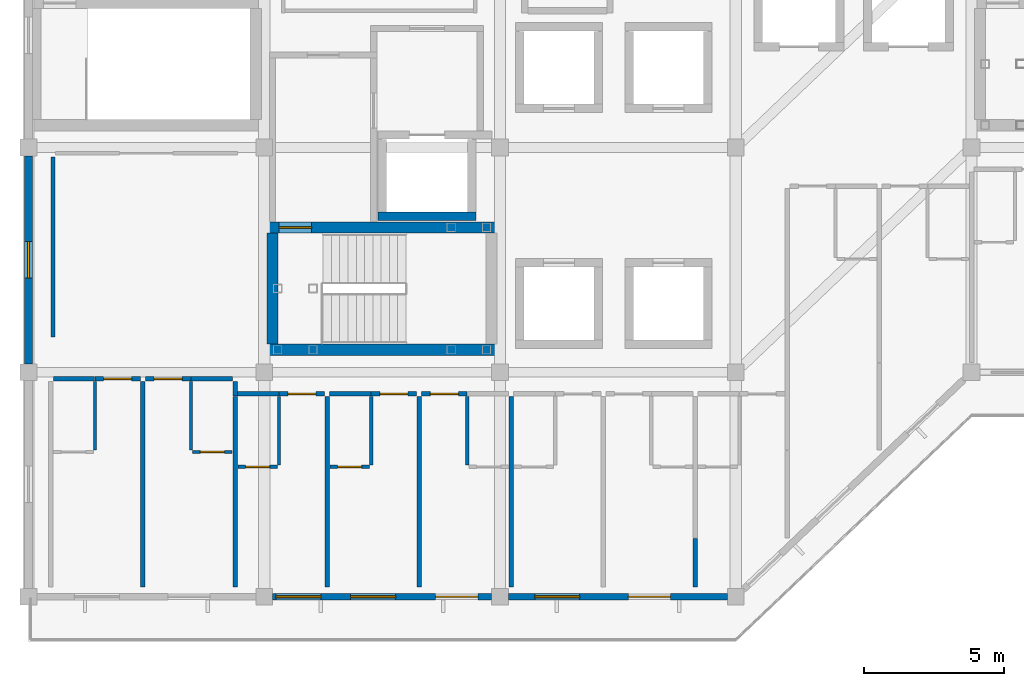
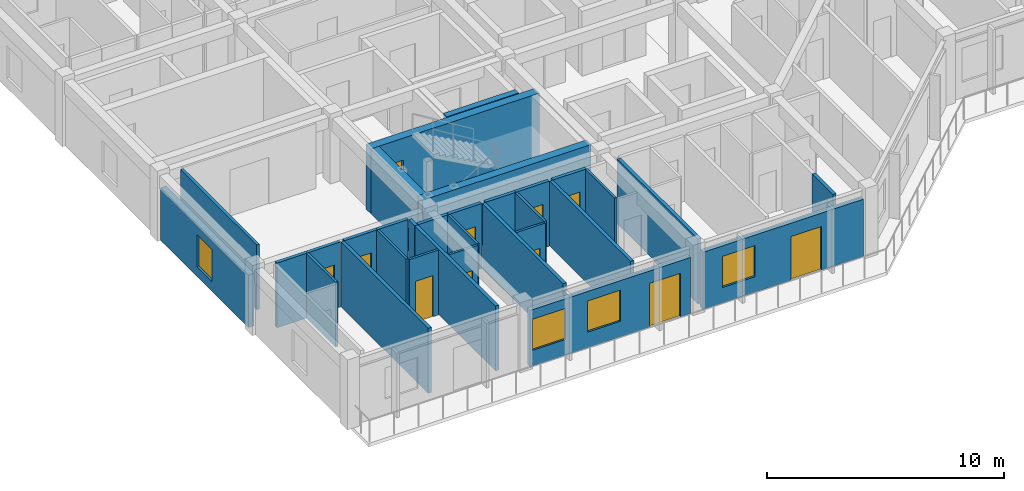
# One storey, part 4 of 14: 32 walls, 11 doors, 4 windows, 15 openings.
"""IFC4 building model written with IfcOpenShell, lengths in metres."""

import ifcopenshell
import ifcopenshell.guid

model = None  # the IFC model being written
_history = None  # IfcOwnerHistory: only IFC2X3 demands one
_inside = {}  # id of a spatial element -> (the spatial element, [elements in it])
_under = {}  # id of a project, library or spatial element -> (it, [spatial elements below it])
_declared = {}  # id of a project -> (the project, [libraries it declares])
_typed = {}  # id of a type object -> (the type object, [elements of that type])
_made_of = {}  # id of a material, layer set ... -> (it, [elements and type objects made of it])


def new_model(schema):
    """Start an empty IFC model of exactly this schema.

    Asked for "IFC4X3", IfcOpenShell would pick the latest addendum, in which some entities
    have other attributes; the version numbers below select the first issue.
    IFC2X3 requires an IfcOwnerHistory on every rooted entity: one is made here for all.
    """
    global model, _history
    if schema == "IFC4X3":
        model = ifcopenshell.file(schema_version=(4, 3, 0, 0))
    else:
        model = ifcopenshell.file(schema=schema)
    _inside.clear()
    _under.clear()
    _declared.clear()
    _typed.clear()
    _made_of.clear()
    _history = None
    if model.schema == "IFC2X3":
        org = make("IfcOrganization", Name="unknown")
        user = make(
            "IfcPersonAndOrganization",
            ThePerson=make("IfcPerson", FamilyName="unknown"),
            TheOrganization=org,
        )
        app = make(
            "IfcApplication",
            ApplicationDeveloper=org,
            Version="unknown",
            ApplicationFullName="unknown",
            ApplicationIdentifier="unknown",
        )
        _history = make(
            "IfcOwnerHistory",
            OwningUser=user,
            OwningApplication=app,
            ChangeAction="ADDED",
            CreationDate=0,
        )
    return model


def make(cls, **values):
    """One entity of the class cls with the attributes given. An attribute that is None is left unset."""
    return model.create_entity(
        cls, **{name: value for name, value in values.items() if value is not None}
    )


def rooted(cls, **values):
    """An entity with a GlobalId (a new one), such as an element, a storey or a relation."""
    return make(cls, GlobalId=ifcopenshell.guid.new(), OwnerHistory=_history, **values)


def si_unit(unit_type, name, prefix=None):
    """IfcSIUnit, for example si_unit("LENGTHUNIT", "METRE", prefix="MILLI")."""
    return make("IfcSIUnit", UnitType=unit_type, Prefix=prefix, Name=name)


def assignment(units):
    """IfcUnitAssignment: the units of a project."""
    return None if units is None else make("IfcUnitAssignment", Units=units)


def point(xyz):
    """IfcCartesianPoint."""
    return None if xyz is None else make("IfcCartesianPoint", Coordinates=xyz)


def direction(xyz):
    """IfcDirection."""
    return None if xyz is None else make("IfcDirection", DirectionRatios=xyz)


def frame(location, z_axis=None, x_axis=None):
    """IfcAxis2Placement3D, a coordinate frame: its origin and axes. An axis left out is left unset."""
    return make(
        "IfcAxis2Placement3D",
        Location=point(location),
        Axis=direction(z_axis),
        RefDirection=direction(x_axis),
    )


def frame_2d(location, x_axis=None):
    """IfcAxis2Placement2D, a coordinate frame in the plane: its origin and x axis."""
    return make(
        "IfcAxis2Placement2D", Location=point(location), RefDirection=direction(x_axis)
    )


def origin():
    """The frame at (0, 0, 0) with its axes left unset."""
    return frame((0.0, 0.0, 0.0))


def place(relative_to, where):
    """IfcLocalPlacement: puts the frame where relative to a parent placement (None: the world)."""
    return make(
        "IfcLocalPlacement", PlacementRelTo=relative_to, RelativePlacement=where
    )


def context(
    kind, dimensions, precision=None, world=None, true_north=None, identifier=None
):
    """IfcGeometricRepresentationContext, for example the 3D "Model" context."""
    return make(
        "IfcGeometricRepresentationContext",
        ContextIdentifier=identifier,
        ContextType=kind,
        CoordinateSpaceDimension=dimensions,
        Precision=precision,
        WorldCoordinateSystem=world,
        TrueNorth=true_north,
    )


def subcontext(parent, identifier, kind, view, scale=None):
    """IfcGeometricRepresentationSubContext, for example "Body" below "Model"."""
    return make(
        "IfcGeometricRepresentationSubContext",
        ContextIdentifier=identifier,
        ContextType=kind,
        ParentContext=parent,
        TargetScale=scale,
        TargetView=view,
    )


def project(units=None, contexts=None):
    """IfcProject with its units and contexts."""
    return rooted(
        "IfcProject",
        Name="project",
        RepresentationContexts=contexts,
        UnitsInContext=assignment(units),
    )


def spatial(cls, under=None, at=None, **own):
    """A site, building, storey or space (cls), placed at a placement, below another one or the project."""
    s = rooted(cls, ObjectPlacement=at, **own)
    if under is not None:
        _under.setdefault(under.id(), (under, []))[1].append(s)
    return s


def profile(cls, at=None, kind="AREA", **sizes):
    """A parametric profile (cls). Its sizes go by their IFC names, for example OverallWidth=200.0."""
    return make(cls, ProfileType=kind, Position=at, **sizes)


def rectangle(**sizes):
    """IfcRectangleProfileDef."""
    return profile("IfcRectangleProfileDef", **sizes)


def extrude(swept, where, along, depth):
    """IfcExtrudedAreaSolid: the profile swept, set in the frame where, extruded along a direction by depth."""
    return make(
        "IfcExtrudedAreaSolid",
        SweptArea=swept,
        Position=where,
        ExtrudedDirection=direction(along),
        Depth=depth,
    )


def shape(context_of_items, identifier, shape_type, items):
    """IfcShapeRepresentation: the items that make up one representation, for example the "Body"."""
    return make(
        "IfcShapeRepresentation",
        ContextOfItems=context_of_items,
        RepresentationIdentifier=identifier,
        RepresentationType=shape_type,
        Items=items,
    )


def material(Name=None, Category=None):
    """IfcMaterial."""
    return make("IfcMaterial", Name=Name, Category=Category)


def layer(
    of_material, thickness, ventilated=None, Name=None, Category=None, Priority=None
):
    """IfcMaterialLayer: one layer of a wall or slab, of a material (None: an air gap)."""
    return make(
        "IfcMaterialLayer",
        Material=of_material,
        LayerThickness=thickness,
        IsVentilated=ventilated,
        Name=Name,
        Category=Category,
        Priority=Priority,
    )


def layer_set(layers, Name=None):
    """IfcMaterialLayerSet."""
    return make("IfcMaterialLayerSet", MaterialLayers=layers, LayerSetName=Name)


def made_of(thing, what):
    """Note that an element or type object is made of a material, layer set ...; save() writes the relation."""
    if what is not None:
        _made_of.setdefault(what.id(), (what, []))[1].append(thing)
    return thing


def type_object(cls, material=None, **own):
    """A type object (cls), such as IfcWallType, which elements share."""
    return made_of(rooted(cls, **own), material)


def element(
    cls,
    number,
    at=None,
    inside=None,
    cuts=None,
    type_object=None,
    material=None,
    context=None,
    identifier="Body",
    shape_type=None,
    held_by="IfcProductDefinitionShape",
    body=None,
    shapes=None,
    **own,
):
    """One element of the class cls, such as IfcWall. Its Tag is "e" and its number.

    at: its placement. inside: the storey or other place that contains it. cuts: it is an
    opening in that element (IfcRelVoidsElement). A single representation is given by context,
    identifier, shape_type and body (its items); several are given by shapes. held_by: the class
    of the entity that holds the representations. save() writes the other relations.
    """
    e = rooted(cls, Tag="e%d" % number, ObjectPlacement=at, **own)
    if body is not None:
        shapes = [shape(context, identifier, shape_type, body)]
    if shapes is not None:
        e.Representation = make(held_by, Representations=shapes)
    if inside is not None:
        _inside.setdefault(inside.id(), (inside, []))[1].append(e)
    if cuts is not None:
        rooted(
            "IfcRelVoidsElement", RelatingBuildingElement=cuts, RelatedOpeningElement=e
        )
    if type_object is not None:
        _typed.setdefault(type_object.id(), (type_object, []))[1].append(e)
    return made_of(e, material)


def fill(opening, filler):
    """IfcRelFillsElement: the door or window that sits in an opening."""
    return rooted(
        "IfcRelFillsElement",
        RelatingOpeningElement=opening,
        RelatedBuildingElement=filler,
    )


def aggregate(whole, parts):
    """IfcRelAggregates: a whole, such as a stair, and the parts it consists of."""
    return rooted("IfcRelAggregates", RelatingObject=whole, RelatedObjects=parts)


def save(model, path):
    """Write the relations noted so far, then the file.

    IfcRelAggregates (storeys below a building ...), IfcRelContainedInSpatialStructure (elements
    in a storey), IfcRelDefinesByType, IfcRelAssociatesMaterial and IfcRelDeclares: one each for
    every whole, place, type object, material and project.
    """
    for whole, parts in _under.values():
        aggregate(whole, parts)
    for where, things in _inside.values():
        rooted(
            "IfcRelContainedInSpatialStructure",
            RelatedElements=things,
            RelatingStructure=where,
        )
    for kind, things in _typed.values():
        rooted("IfcRelDefinesByType", RelatedObjects=things, RelatingType=kind)
    for what, things in _made_of.values():
        rooted("IfcRelAssociatesMaterial", RelatedObjects=things, RelatingMaterial=what)
    for by, libraries in _declared.values():
        rooted("IfcRelDeclares", RelatingContext=by, RelatedDefinitions=libraries)
    model.write(path)


model = new_model("IFC4")

# Units and contexts
model_context = context("Model", 3, precision=1e-05, world=origin(), true_north=direction((0.0, 1.0)))
body_context = subcontext(model_context, "Body", "Model", "MODEL_VIEW")
ifc_project = project(units=[si_unit("LENGTHUNIT", "METRE"), si_unit("AREAUNIT", "SQUARE_METRE"), si_unit("VOLUMEUNIT", "CUBIC_METRE"), si_unit("PLANEANGLEUNIT", "RADIAN"), si_unit("MASSUNIT", "GRAM", prefix="KILO")], contexts=[model_context])

# Site, building, storey
site_placement = place(None, origin())
site = spatial("IfcSite", under=ifc_project, at=site_placement, CompositionType="ELEMENT")
building_placement = place(site_placement, origin())
building = spatial("IfcBuilding", under=site, at=building_placement, Name="Naruveol Harbour Congress Hotel", CompositionType="ELEMENT")
storey_placement = place(building_placement, frame((0.0, 0.0, 39.60009765625)))
storey = spatial("IfcBuildingStorey", under=building, at=storey_placement, Name="L09", CompositionType="ELEMENT", Elevation=39.60009765625)

# Wall
ifc_material_1 = material(Name="Acoustic Double Stud Gypsum", Category="gypsum")
ifc_layer_1 = layer(ifc_material_1, 0.139892578125)
ifc_layer_set_1 = layer_set([ifc_layer_1], Name="Acoustic Double Stud Gypsum")
wall_type_1 = type_object("IfcWallType", Name="ACOUSTIC MEETING PARTITION WALL 140", PredefinedType="PARTITIONING", material=ifc_layer_set_1)
wall_1_placement = place(storey_placement, frame((118.47998046875, 9.25, 0.0), z_axis=(0.0, 0.0, 1.0), x_axis=(0.0, 1.0, 0.0)))
element("IfcWall", 1, at=wall_1_placement, inside=storey, type_object=wall_type_1, Name="Sky Club Salon west partition PW-140", PredefinedType="PARTITIONING", context=body_context, shape_type="SweptSolid", body=[
    extrude(rectangle(XDim=6.409912109375, YDim=0.139892578125, at=frame_2d((3.205078125, 0.0))), origin(), (0.0, 0.0, 1.0), 3.3349609375),
])

# Wall, opening, window
ifc_material_2 = material(Name="Precast concrete C40/50", Category="concrete")
ifc_layer_2 = layer(ifc_material_2, 0.280029296875)
ifc_layer_set_2 = layer_set([ifc_layer_2], Name="Precast concrete C40/50")
wall_type_2 = type_object("IfcWallType", Name="ARCHITECTURAL PRECAST FACADE WALL 280", PredefinedType="SOLIDWALL", material=ifc_layer_set_2)
wall_2_placement = place(storey_placement, frame((117.60009765625, 8.300048828125, 0.0), z_axis=(0.0, 0.0, 1.0), x_axis=(0.0, 1.0, 0.0)))
wall_2 = element("IfcWall", 2, at=wall_2_placement, inside=storey, type_object=wall_type_2, Name="Hotel west gable wall L09 EW-280", PredefinedType="SOLIDWALL", context=body_context, shape_type="SweptSolid", body=[
    extrude(rectangle(XDim=7.39990234375, YDim=0.280029296875, at=frame_2d((3.699951171875, 0.0))), origin(), (0.0, 0.0, 1.0), 2.699951171875),
])
opening_1_placement = place(wall_2_placement, frame((3.050048828125, 0.0, 0.5)))
opening_1 = element("IfcOpeningElement", 3, at=opening_1_placement, cuts=wall_2, Name="Opening W-27", PredefinedType="OPENING", context=body_context, shape_type="SweptSolid", body=[
    extrude(rectangle(XDim=1.300048828125, YDim=1.64990234375, at=frame_2d((0.64990234375, 0.824951171875))), frame((0.0, 0.14990234375, 0.0), z_axis=(0.0, -1.0, 0.0), x_axis=(1.0, 0.0, 0.0)), (0.0, 0.0, 1.0), 0.300048828125),
])
ifc_material_3 = material(Name="Low-E Triple Glazing in Thermal Aluminium", Category="aluminium")
window_type_1 = type_object("IfcWindowType", Name="READING SALON TALL WINDOW 1300X1650", PartitioningType="SINGLE_PANEL", PredefinedType="WINDOW", material=ifc_material_3)
window_1_placement = place(opening_1_placement, origin())
window_1 = element("IfcWindow", 4, at=window_1_placement, inside=storey, type_object=window_type_1, Name="Window W-27 #476", OverallHeight=1.64990234375, OverallWidth=1.300048828125, PartitioningType="SINGLE_PANEL", PredefinedType="WINDOW", context=body_context, shape_type="SweptSolid", body=[
    extrude(rectangle(XDim=1.300048828125, YDim=1.64990234375, at=frame_2d((0.64990234375, 0.824951171875))), frame((0.0, 0.030029296875, 0.0), z_axis=(0.0, -1.0, 0.0), x_axis=(1.0, 0.0, 0.0)), (0.0, 0.0, 1.0), 0.06005859375),
])
fill(opening_1, window_1)

# Walls
ifc_material_4 = material(Name="Moisture-Resistant Gypsum Partition", Category="gypsum")
ifc_layer_3 = layer(ifc_material_4, 0.114990234375)
ifc_layer_set_3 = layer_set([ifc_layer_3], Name="Moisture-Resistant Gypsum Partition")
wall_type_3 = type_object("IfcWallType", Name="BATHROOM MOISTURE PARTITION WALL 115", PredefinedType="PARTITIONING", material=ifc_layer_set_3)
for number, where, z_axis, x_axis, name in (
    (5, (119.969970703125, 5.219970703125, 0.0), (0.0, 0.0, 1.0), (0.0, 1.0, 0.0), "Bathroom east wall 1051 PW-115"),
    (6, (123.389892578125, 5.219970703125, 0.0), (0.0, 0.0, 1.0), (0.0, 1.0, 0.0), "Bathroom west wall 1052 PW-115"),
):
    element("IfcWall", number, at=place(storey_placement, frame(where, z_axis=z_axis, x_axis=x_axis)), inside=storey, type_object=wall_type_3, Name=name, PredefinedType="PARTITIONING", context=body_context, shape_type="SweptSolid", body=[
        extrude(rectangle(XDim=2.449951171875, YDim=0.114990234375, at=frame_2d((1.22509765625, 0.0))), origin(), (0.0, 0.0, 1.0), 3.3349609375),
    ])

# Wall, opening, door
wall_3_placement = place(storey_placement, frame((123.449951171875, 5.159912109375, 0.0), z_axis=(0.0, 0.0, 1.0), x_axis=(1.0, 0.0, 0.0)))
wall_3 = element("IfcWall", 7, at=wall_3_placement, inside=storey, type_object=wall_type_3, Name="Bathroom south wall 1052 PW-115", PredefinedType="PARTITIONING", context=body_context, shape_type="SweptSolid", body=[
    extrude(rectangle(XDim=1.41015625, YDim=0.114990234375, at=frame_2d((0.705078125, 0.0))), origin(), (0.0, 0.0, 1.0), 3.3349609375),
])
opening_2_placement = place(wall_3_placement, frame((0.27490234375, 0.0, 0.0)))
opening_2 = element("IfcOpeningElement", 8, at=opening_2_placement, cuts=wall_3, Name="Opening BD-RM1052", PredefinedType="OPENING", context=body_context, shape_type="SweptSolid", body=[
    extrude(rectangle(XDim=0.860107421875, YDim=2.1201171875, at=frame_2d((0.43017578125, 1.06005859375))), frame((0.0, 0.0673828125, 0.0), z_axis=(0.0, -1.0, 0.0), x_axis=(1.0, 0.0, 0.0)), (0.0, 0.0, 1.0), 0.135009765625),
])
ifc_material_5 = material(Name="Timber & Steel Acoustic Leaf", Category="steel")
door_type_1 = type_object("IfcDoorType", Name="GUEST BATHROOM DOOR 860X2120", OperationType="NOTDEFINED", PredefinedType="DOOR", material=ifc_material_5)
door_1_placement = place(opening_2_placement, origin())
door_1 = element("IfcDoor", 9, at=door_1_placement, inside=storey, type_object=door_type_1, Name="Bathroom Door 1052", OperationType="SINGLE_SWING_RIGHT", OverallHeight=2.1201171875, OverallWidth=0.860107421875, PredefinedType="DOOR", context=body_context, shape_type="SweptSolid", body=[
    extrude(rectangle(XDim=0.860107421875, YDim=2.1201171875, at=frame_2d((0.43017578125, 1.06005859375))), frame((0.0, 0.02490234375, 0.0), z_axis=(0.0, -1.0, 0.0), x_axis=(1.0, 0.0, 0.0)), (0.0, 0.0, 1.0), 0.050048828125),
])
fill(opening_2, door_1)

# Wall
wall_4_placement = place(storey_placement, frame((126.530029296875, 4.68994140625, 0.0), z_axis=(0.0, 0.0, 1.0), x_axis=(0.0, 1.0, 0.0)))
element("IfcWall", 10, at=wall_4_placement, inside=storey, type_object=wall_type_3, Name="Bathroom east wall 1053 PW-115", PredefinedType="PARTITIONING", context=body_context, shape_type="SweptSolid", body=[
    extrude(rectangle(XDim=2.449951171875, YDim=0.114990234375, at=frame_2d((1.22509765625, 0.0))), origin(), (0.0, 0.0, 1.0), 3.3349609375),
])

# Wall, opening, door
wall_5_placement = place(storey_placement, frame((125.06005859375, 4.6298828125, 0.0), z_axis=(0.0, 0.0, 1.0), x_axis=(1.0, 0.0, 0.0)))
wall_5 = element("IfcWall", 11, at=wall_5_placement, inside=storey, type_object=wall_type_3, Name="Bathroom south wall 1053 PW-115", PredefinedType="PARTITIONING", context=body_context, shape_type="SweptSolid", body=[
    extrude(rectangle(XDim=1.409912109375, YDim=0.114990234375, at=frame_2d((0.705078125, 0.0))), origin(), (0.0, 0.0, 1.0), 3.3349609375),
])
opening_3_placement = place(wall_5_placement, frame((0.27490234375, 0.0, 0.0)))
opening_3 = element("IfcOpeningElement", 12, at=opening_3_placement, cuts=wall_5, Name="Opening BD-RM1053", PredefinedType="OPENING", context=body_context, shape_type="SweptSolid", body=[
    extrude(rectangle(XDim=0.860107421875, YDim=2.1201171875, at=frame_2d((0.43017578125, 1.06005859375))), frame((0.0, 0.0673828125, 0.0), z_axis=(0.0, -1.0, 0.0), x_axis=(1.0, 0.0, 0.0)), (0.0, 0.0, 1.0), 0.135009765625),
])
door_2_placement = place(opening_3_placement, origin())
door_2 = element("IfcDoor", 13, at=door_2_placement, inside=storey, type_object=door_type_1, Name="Bathroom Door 1053", OperationType="SINGLE_SWING_RIGHT", OverallHeight=2.1201171875, OverallWidth=0.860107421875, PredefinedType="DOOR", context=body_context, shape_type="SweptSolid", body=[
    extrude(rectangle(XDim=0.860107421875, YDim=2.1201171875, at=frame_2d((0.43017578125, 1.06005859375))), frame((0.0, 0.02490234375, 0.0), z_axis=(0.0, -1.0, 0.0), x_axis=(1.0, 0.0, 0.0)), (0.0, 0.0, 1.0), 0.050048828125),
])
fill(opening_3, door_2)

# Wall
wall_6_placement = place(storey_placement, frame((129.81005859375, 4.68994140625, 0.0), z_axis=(0.0, 0.0, 1.0), x_axis=(0.0, 1.0, 0.0)))
element("IfcWall", 14, at=wall_6_placement, inside=storey, type_object=wall_type_3, Name="Bathroom east wall 1054 PW-115", PredefinedType="PARTITIONING", context=body_context, shape_type="SweptSolid", body=[
    extrude(rectangle(XDim=2.449951171875, YDim=0.114990234375, at=frame_2d((1.22509765625, 0.0))), origin(), (0.0, 0.0, 1.0), 3.3349609375),
])

# Wall, opening, door
wall_7_placement = place(storey_placement, frame((128.340087890625, 4.6298828125, 0.0), z_axis=(0.0, 0.0, 1.0), x_axis=(1.0, 0.0, 0.0)))
wall_7 = element("IfcWall", 15, at=wall_7_placement, inside=storey, type_object=wall_type_3, Name="Bathroom south wall 1054 PW-115", PredefinedType="PARTITIONING", context=body_context, shape_type="SweptSolid", body=[
    extrude(rectangle(XDim=1.409912109375, YDim=0.114990234375, at=frame_2d((0.705078125, 0.0))), origin(), (0.0, 0.0, 1.0), 3.3349609375),
])
opening_4_placement = place(wall_7_placement, frame((0.27490234375, 0.0, 0.0)))
opening_4 = element("IfcOpeningElement", 16, at=opening_4_placement, cuts=wall_7, Name="Opening BD-RM1054", PredefinedType="OPENING", context=body_context, shape_type="SweptSolid", body=[
    extrude(rectangle(XDim=0.860107421875, YDim=2.1201171875, at=frame_2d((0.43017578125, 1.06005859375))), frame((0.0, 0.0673828125, 0.0), z_axis=(0.0, -1.0, 0.0), x_axis=(1.0, 0.0, 0.0)), (0.0, 0.0, 1.0), 0.135009765625),
])
door_3_placement = place(opening_4_placement, origin())
door_3 = element("IfcDoor", 17, at=door_3_placement, inside=storey, type_object=door_type_1, Name="Bathroom Door 1054", OperationType="SINGLE_SWING_RIGHT", OverallHeight=2.1201171875, OverallWidth=0.860107421875, PredefinedType="DOOR", context=body_context, shape_type="SweptSolid", body=[
    extrude(rectangle(XDim=0.860107421875, YDim=2.1201171875, at=frame_2d((0.43017578125, 1.06005859375))), frame((0.0, 0.02490234375, 0.0), z_axis=(0.0, -1.0, 0.0), x_axis=(1.0, 0.0, 0.0)), (0.0, 0.0, 1.0), 0.050048828125),
])
fill(opening_4, door_3)

# Walls
wall_8_placement = place(storey_placement, frame((133.22998046875, 4.68994140625, 0.0), z_axis=(0.0, 0.0, 1.0), x_axis=(0.0, 1.0, 0.0)))
element("IfcWall", 18, at=wall_8_placement, inside=storey, type_object=wall_type_3, Name="Bathroom west wall 1055 PW-115", PredefinedType="PARTITIONING", context=body_context, shape_type="SweptSolid", body=[
    extrude(rectangle(XDim=2.449951171875, YDim=0.114990234375, at=frame_2d((1.22509765625, 0.0))), origin(), (0.0, 0.0, 1.0), 3.3349609375),
])
ifc_material_6 = material(Name="Autoclaved Aerated Concrete Block", Category="concrete")
ifc_layer_4 = layer(ifc_material_6, 0.159912109375)
ifc_layer_set_4 = layer_set([ifc_layer_4], Name="Autoclaved Aerated Concrete Block")
wall_type_4 = type_object("IfcWallType", Name="HOTEL PARTY AND CORRIDOR WALL 160 EI60", PredefinedType="PARTITIONING", material=ifc_layer_set_4)
wall_9_placement = place(storey_placement, frame((118.489990234375, 7.760009765625, 0.0), z_axis=(0.0, 0.0, 1.0), x_axis=(1.0, 0.0, 0.0)))
element("IfcWall", 19, at=wall_9_placement, inside=storey, type_object=wall_type_4, Name="Corridor wall 1051B PW-160", PredefinedType="PARTITIONING", context=body_context, shape_type="SweptSolid", body=[
    extrude(rectangle(XDim=1.469970703125, YDim=0.159912109375, at=frame_2d((0.73486328125, 0.0))), origin(), (0.0, 0.0, 1.0), 3.3349609375),
])

# Wall, opening, door
wall_10_placement = place(storey_placement, frame((119.969970703125, 7.760009765625, 0.0), z_axis=(0.0, 0.0, 1.0), x_axis=(1.0, 0.0, 0.0)))
wall_10 = element("IfcWall", 20, at=wall_10_placement, inside=storey, type_object=wall_type_4, Name="Corridor entry wall 1051 PW-160", PredefinedType="PARTITIONING", context=body_context, shape_type="SweptSolid", body=[
    extrude(rectangle(XDim=1.6201171875, YDim=0.159912109375, at=frame_2d((0.81005859375, 0.0))), origin(), (0.0, 0.0, 1.0), 3.3349609375),
])
opening_5_placement = place(wall_10_placement, frame((0.31005859375, 0.0, 0.0)))
opening_5 = element("IfcOpeningElement", 21, at=opening_5_placement, cuts=wall_10, Name="Opening FD-RM1051", PredefinedType="OPENING", context=body_context, shape_type="SweptSolid", body=[
    extrude(rectangle(XDim=1.0, YDim=2.25, at=frame_2d((0.5, 1.125))), frame((0.0, 0.08984375, 0.0), z_axis=(0.0, -1.0, 0.0), x_axis=(1.0, 0.0, 0.0)), (0.0, 0.0, 1.0), 0.179931640625),
])
ifc_material_7 = material(Name="Timber & Steel Acoustic Leaf", Category="steel")
door_type_2 = type_object("IfcDoorType", Name="DELUXE GUEST ENTRANCE FIRE DOOR 1000X2250", OperationType="NOTDEFINED", PredefinedType="DOOR", material=ifc_material_7)
door_4_placement = place(opening_5_placement, origin())
door_4 = element("IfcDoor", 22, at=door_4_placement, inside=storey, type_object=door_type_2, Name="Hotel Room Door 1051", OperationType="SINGLE_SWING_LEFT", OverallHeight=2.25, OverallWidth=1.0, PredefinedType="DOOR", context=body_context, shape_type="SweptSolid", body=[
    extrude(rectangle(XDim=1.0, YDim=2.25, at=frame_2d((0.5, 1.125))), frame((0.0, 0.02490234375, 0.0), z_axis=(0.0, -1.0, 0.0), x_axis=(1.0, 0.0, 0.0)), (0.0, 0.0, 1.0), 0.050048828125),
])
fill(opening_5, door_4)

wall_11_placement = place(storey_placement, frame((121.77001953125, 7.760009765625, 0.0), z_axis=(0.0, 0.0, 1.0), x_axis=(1.0, 0.0, 0.0)))
wall_11 = element("IfcWall", 23, at=wall_11_placement, inside=storey, type_object=wall_type_4, Name="Corridor entry wall 1052 PW-160", PredefinedType="PARTITIONING", context=body_context, shape_type="SweptSolid", body=[
    extrude(rectangle(XDim=1.619873046875, YDim=0.159912109375, at=frame_2d((0.81005859375, 0.0))), origin(), (0.0, 0.0, 1.0), 3.3349609375),
])
opening_6_placement = place(wall_11_placement, frame((0.31005859375, 0.0, 0.0)))
opening_6 = element("IfcOpeningElement", 24, at=opening_6_placement, cuts=wall_11, Name="Opening FD-RM1052", PredefinedType="OPENING", context=body_context, shape_type="SweptSolid", body=[
    extrude(rectangle(XDim=1.0, YDim=2.25, at=frame_2d((0.5, 1.125))), frame((0.0, 0.08984375, 0.0), z_axis=(0.0, -1.0, 0.0), x_axis=(1.0, 0.0, 0.0)), (0.0, 0.0, 1.0), 0.179931640625),
])
door_5_placement = place(opening_6_placement, origin())
door_5 = element("IfcDoor", 25, at=door_5_placement, inside=storey, type_object=door_type_2, Name="Hotel Room Door 1052", OperationType="SINGLE_SWING_LEFT", OverallHeight=2.25, OverallWidth=1.0, PredefinedType="DOOR", context=body_context, shape_type="SweptSolid", body=[
    extrude(rectangle(XDim=1.0, YDim=2.25, at=frame_2d((0.5, 1.125))), frame((0.0, 0.02490234375, 0.0), z_axis=(0.0, -1.0, 0.0), x_axis=(1.0, 0.0, 0.0)), (0.0, 0.0, 1.0), 0.050048828125),
])
fill(opening_6, door_5)

# Walls
wall_12_placement = place(storey_placement, frame((123.39990234375, 7.760009765625, 0.0), z_axis=(0.0, 0.0, 1.0), x_axis=(1.0, 0.0, 0.0)))
element("IfcWall", 26, at=wall_12_placement, inside=storey, type_object=wall_type_4, Name="Corridor wall 1052B PW-160", PredefinedType="PARTITIONING", context=body_context, shape_type="SweptSolid", body=[
    extrude(rectangle(XDim=1.47021484375, YDim=0.159912109375, at=frame_2d((0.735107421875, 0.0))), origin(), (0.0, 0.0, 1.0), 3.3349609375),
])
wall_13_placement = place(storey_placement, frame((121.679931640625, 0.340087890625, 0.0), z_axis=(0.0, 0.0, 1.0), x_axis=(0.0, 1.0, 0.0)))
element("IfcWall", 27, at=wall_13_placement, inside=storey, type_object=wall_type_4, Name="Hotel party wall 1052 PW-160", PredefinedType="PARTITIONING", context=body_context, shape_type="SweptSolid", body=[
    extrude(rectangle(XDim=7.329833984375, YDim=0.159912109375, at=frame_2d((3.6650390625, 0.0))), origin(), (0.0, 0.0, 1.0), 3.3349609375),
])
wall_14_placement = place(storey_placement, frame((124.9599609375, 7.14990234375, 0.0), z_axis=(0.0, 0.0, 1.0), x_axis=(0.0, 1.0, 0.0)))
element("IfcWall", 28, at=wall_14_placement, inside=storey, type_object=wall_type_4, Name="Hotel end party wall 1052 PW-160", PredefinedType="PARTITIONING", context=body_context, shape_type="SweptSolid", body=[
    extrude(rectangle(XDim=0.52001953125, YDim=0.159912109375, at=frame_2d((0.260009765625, 0.0))), origin(), (0.0, 0.0, 1.0), 3.3349609375),
])
wall_15_placement = place(storey_placement, frame((125.050048828125, 7.22998046875, 0.0), z_axis=(0.0, 0.0, 1.0), x_axis=(1.0, 0.0, 0.0)))
element("IfcWall", 29, at=wall_15_placement, inside=storey, type_object=wall_type_4, Name="Corridor wall 1053B PW-160", PredefinedType="PARTITIONING", context=body_context, shape_type="SweptSolid", body=[
    extrude(rectangle(XDim=1.469970703125, YDim=0.159912109375, at=frame_2d((0.73486328125, 0.0))), origin(), (0.0, 0.0, 1.0), 3.3349609375),
])

# Wall, opening, door
wall_16_placement = place(storey_placement, frame((126.530029296875, 7.22998046875, 0.0), z_axis=(0.0, 0.0, 1.0), x_axis=(1.0, 0.0, 0.0)))
wall_16 = element("IfcWall", 30, at=wall_16_placement, inside=storey, type_object=wall_type_4, Name="Corridor entry wall 1053 PW-160", PredefinedType="PARTITIONING", context=body_context, shape_type="SweptSolid", body=[
    extrude(rectangle(XDim=1.619873046875, YDim=0.159912109375, at=frame_2d((0.81005859375, 0.0))), origin(), (0.0, 0.0, 1.0), 3.3349609375),
])
opening_7_placement = place(wall_16_placement, frame((0.31005859375, 0.0, 0.0)))
opening_7 = element("IfcOpeningElement", 31, at=opening_7_placement, cuts=wall_16, Name="Opening FD-RM1053", PredefinedType="OPENING", context=body_context, shape_type="SweptSolid", body=[
    extrude(rectangle(XDim=1.0, YDim=2.25, at=frame_2d((0.5, 1.125))), frame((0.0, 0.08984375, 0.0), z_axis=(0.0, -1.0, 0.0), x_axis=(1.0, 0.0, 0.0)), (0.0, 0.0, 1.0), 0.179931640625),
])
door_6_placement = place(opening_7_placement, origin())
door_6 = element("IfcDoor", 32, at=door_6_placement, inside=storey, type_object=door_type_2, Name="Hotel Room Door 1053", OperationType="SINGLE_SWING_LEFT", OverallHeight=2.25, OverallWidth=1.0, PredefinedType="DOOR", context=body_context, shape_type="SweptSolid", body=[
    extrude(rectangle(XDim=1.0, YDim=2.25, at=frame_2d((0.5, 1.125))), frame((0.0, 0.02490234375, 0.0), z_axis=(0.0, -1.0, 0.0), x_axis=(1.0, 0.0, 0.0)), (0.0, 0.0, 1.0), 0.050048828125),
])
fill(opening_7, door_6)

# Walls
wall_17_placement = place(storey_placement, frame((124.9599609375, 0.340087890625, 0.0), z_axis=(0.0, 0.0, 1.0), x_axis=(0.0, 1.0, 0.0)))
element("IfcWall", 33, at=wall_17_placement, inside=storey, type_object=wall_type_4, Name="Hotel party wall 1053 PW-160", PredefinedType="PARTITIONING", context=body_context, shape_type="SweptSolid", body=[
    extrude(rectangle(XDim=6.7998046875, YDim=0.159912109375, at=frame_2d((3.39990234375, 0.0))), origin(), (0.0, 0.0, 1.0), 3.3349609375),
])
wall_18_placement = place(storey_placement, frame((128.330078125, 7.22998046875, 0.0), z_axis=(0.0, 0.0, 1.0), x_axis=(1.0, 0.0, 0.0)))
element("IfcWall", 34, at=wall_18_placement, inside=storey, type_object=wall_type_4, Name="Corridor wall 1054B PW-160", PredefinedType="PARTITIONING", context=body_context, shape_type="SweptSolid", body=[
    extrude(rectangle(XDim=1.469970703125, YDim=0.159912109375, at=frame_2d((0.73486328125, 0.0))), origin(), (0.0, 0.0, 1.0), 3.3349609375),
])

# Wall, opening, door
wall_19_placement = place(storey_placement, frame((129.81005859375, 7.22998046875, 0.0), z_axis=(0.0, 0.0, 1.0), x_axis=(1.0, 0.0, 0.0)))
wall_19 = element("IfcWall", 35, at=wall_19_placement, inside=storey, type_object=wall_type_4, Name="Corridor entry wall 1054 PW-160", PredefinedType="PARTITIONING", context=body_context, shape_type="SweptSolid", body=[
    extrude(rectangle(XDim=1.619873046875, YDim=0.159912109375, at=frame_2d((0.81005859375, 0.0))), origin(), (0.0, 0.0, 1.0), 3.3349609375),
])
opening_8_placement = place(wall_19_placement, frame((0.31005859375, 0.0, 0.0)))
opening_8 = element("IfcOpeningElement", 36, at=opening_8_placement, cuts=wall_19, Name="Opening FD-RM1054", PredefinedType="OPENING", context=body_context, shape_type="SweptSolid", body=[
    extrude(rectangle(XDim=1.0, YDim=2.25, at=frame_2d((0.5, 1.125))), frame((0.0, 0.08984375, 0.0), z_axis=(0.0, -1.0, 0.0), x_axis=(1.0, 0.0, 0.0)), (0.0, 0.0, 1.0), 0.179931640625),
])
door_7_placement = place(opening_8_placement, origin())
door_7 = element("IfcDoor", 37, at=door_7_placement, inside=storey, type_object=door_type_2, Name="Hotel Room Door 1054", OperationType="SINGLE_SWING_LEFT", OverallHeight=2.25, OverallWidth=1.0, PredefinedType="DOOR", context=body_context, shape_type="SweptSolid", body=[
    extrude(rectangle(XDim=1.0, YDim=2.25, at=frame_2d((0.5, 1.125))), frame((0.0, 0.02490234375, 0.0), z_axis=(0.0, -1.0, 0.0), x_axis=(1.0, 0.0, 0.0)), (0.0, 0.0, 1.0), 0.050048828125),
])
fill(opening_8, door_7)

# Wall
wall_20_placement = place(storey_placement, frame((128.239990234375, 0.340087890625, 0.0), z_axis=(0.0, 0.0, 1.0), x_axis=(0.0, 1.0, 0.0)))
element("IfcWall", 38, at=wall_20_placement, inside=storey, type_object=wall_type_4, Name="Hotel party wall 1054 PW-160", PredefinedType="PARTITIONING", context=body_context, shape_type="SweptSolid", body=[
    extrude(rectangle(XDim=6.7998046875, YDim=0.159912109375, at=frame_2d((3.39990234375, 0.0))), origin(), (0.0, 0.0, 1.0), 3.3349609375),
])

# Wall, opening, door
wall_21_placement = place(storey_placement, frame((131.610107421875, 7.22998046875, 0.0), z_axis=(0.0, 0.0, 1.0), x_axis=(1.0, 0.0, 0.0)))
wall_21 = element("IfcWall", 39, at=wall_21_placement, inside=storey, type_object=wall_type_4, Name="Corridor entry wall 1055 PW-160", PredefinedType="PARTITIONING", context=body_context, shape_type="SweptSolid", body=[
    extrude(rectangle(XDim=1.619873046875, YDim=0.159912109375, at=frame_2d((0.81005859375, 0.0))), origin(), (0.0, 0.0, 1.0), 3.3349609375),
])
opening_9_placement = place(wall_21_placement, frame((0.31005859375, 0.0, 0.0)))
opening_9 = element("IfcOpeningElement", 40, at=opening_9_placement, cuts=wall_21, Name="Opening FD-RM1055", PredefinedType="OPENING", context=body_context, shape_type="SweptSolid", body=[
    extrude(rectangle(XDim=1.0, YDim=2.25, at=frame_2d((0.5, 1.125))), frame((0.0, 0.08984375, 0.0), z_axis=(0.0, -1.0, 0.0), x_axis=(1.0, 0.0, 0.0)), (0.0, 0.0, 1.0), 0.179931640625),
])
door_8_placement = place(opening_9_placement, origin())
door_8 = element("IfcDoor", 41, at=door_8_placement, inside=storey, type_object=door_type_2, Name="Hotel Room Door 1055", OperationType="SINGLE_SWING_LEFT", OverallHeight=2.25, OverallWidth=1.0, PredefinedType="DOOR", context=body_context, shape_type="SweptSolid", body=[
    extrude(rectangle(XDim=1.0, YDim=2.25, at=frame_2d((0.5, 1.125))), frame((0.0, 0.02490234375, 0.0), z_axis=(0.0, -1.0, 0.0), x_axis=(1.0, 0.0, 0.0)), (0.0, 0.0, 1.0), 0.050048828125),
])
fill(opening_9, door_8)

# Walls
for number, where, z_axis, x_axis, name in (
    (42, (131.52001953125, 0.340087890625, 0.0), (0.0, 0.0, 1.0), (0.0, 1.0, 0.0), "Hotel party wall 1055 PW-160"),
    (43, (134.800048828125, 0.340087890625, 0.0), (0.0, 0.0, 1.0), (0.0, 1.0, 0.0), "Hotel party wall 1056 PW-160"),
):
    element("IfcWall", number, at=place(storey_placement, frame(where, z_axis=z_axis, x_axis=x_axis)), inside=storey, type_object=wall_type_4, Name=name, PredefinedType="PARTITIONING", context=body_context, shape_type="SweptSolid", body=[
        extrude(rectangle(XDim=6.7998046875, YDim=0.159912109375, at=frame_2d((3.39990234375, 0.0))), origin(), (0.0, 0.0, 1.0), 3.3349609375),
    ])
wall_22_placement = place(storey_placement, frame((141.360107421875, 0.340087890625, 0.0), z_axis=(0.0, 0.0, 1.0), x_axis=(0.0, 1.0, 0.0)))
element("IfcWall", 44, at=wall_22_placement, inside=storey, type_object=wall_type_4, Name="Hotel end party wall 1057 PW-160", PredefinedType="PARTITIONING", context=body_context, shape_type="SweptSolid", body=[
    extrude(rectangle(XDim=1.739990234375, YDim=0.159912109375, at=frame_2d((0.8701171875, 0.0))), origin(), (0.0, 0.0, 1.0), 3.3349609375),
])

# Wall, openings, windows, door
ifc_material_8 = material(Name="Concrete C40/50", Category="concrete")
ifc_layer_5 = layer(ifc_material_8, 0.239990234375)
ifc_layer_set_5 = layer_set([ifc_layer_5], Name="Concrete C40/50")
wall_type_5 = type_object("IfcWallType", Name="INSULATED HOTEL SPANDREL WALL 240", PredefinedType="SOLIDWALL", material=ifc_layer_set_5)
wall_23_placement = place(storey_placement, frame((134.10009765625, 0.0, 0.0), z_axis=(0.0, 0.0, 1.0), x_axis=(-1.0, 0.0, 0.0)))
wall_23 = element("IfcWall", 45, at=wall_23_placement, inside=storey, type_object=wall_type_5, Name="Hotel south waterfront wall L09 EW-240", PredefinedType="SOLIDWALL", context=body_context, shape_type="SweptSolid", body=[
    extrude(rectangle(XDim=7.800048828125, YDim=0.239990234375, at=frame_2d((3.89990234375, 0.0))), origin(), (0.0, 0.0, 1.0), 2.889892578125),
])
opening_10_placement = place(wall_23_placement, frame((0.489990234375, 0.0, 0.0)))
opening_10 = element("IfcOpeningElement", 46, at=opening_10_placement, cuts=wall_23, Name="Opening BD-150-068", PredefinedType="OPENING", context=body_context, shape_type="SweptSolid", body=[
    extrude(rectangle(XDim=1.5, YDim=2.25, at=frame_2d((0.75, 1.125))), frame((0.0, 0.1298828125, 0.0), z_axis=(0.0, -1.0, 0.0), x_axis=(1.0, 0.0, 0.0)), (0.0, 0.0, 1.0), 0.260009765625),
])
opening_11_placement = place(wall_23_placement, frame((3.419921875, 0.0, 0.800048828125)))
opening_11 = element("IfcOpeningElement", 47, at=opening_11_placement, cuts=wall_23, Name="Opening W-03", PredefinedType="OPENING", context=body_context, shape_type="SweptSolid", body=[
    extrude(rectangle(XDim=1.60009765625, YDim=1.60009765625, at=frame_2d((0.800048828125, 0.800048828125))), frame((0.0, 0.1298828125, 0.0), z_axis=(0.0, -1.0, 0.0), x_axis=(1.0, 0.0, 0.0)), (0.0, 0.0, 1.0), 0.260009765625),
])
opening_12_placement = place(wall_23_placement, frame((6.080078125, 0.0, 0.800048828125)))
opening_12 = element("IfcOpeningElement", 48, at=opening_12_placement, cuts=wall_23, Name="Opening W-03", PredefinedType="OPENING", context=body_context, shape_type="SweptSolid", body=[
    extrude(rectangle(XDim=1.60009765625, YDim=1.60009765625, at=frame_2d((0.800048828125, 0.800048828125))), frame((0.0, 0.1298828125, 0.0), z_axis=(0.0, -1.0, 0.0), x_axis=(1.0, 0.0, 0.0)), (0.0, 0.0, 1.0), 0.260009765625),
])
ifc_material_9 = material(Name="Low-E Triple Glazing in Thermal Aluminium", Category="aluminium")
window_type_2 = type_object("IfcWindowType", Name="DELUXE GUEST WINDOW 1600X1600", PartitioningType="SINGLE_PANEL", PredefinedType="WINDOW", material=ifc_material_9)
window_2_placement = place(opening_11_placement, origin())
window_2 = element("IfcWindow", 49, at=window_2_placement, inside=storey, type_object=window_type_2, Name="Window W-03 #450", OverallHeight=1.60009765625, OverallWidth=1.60009765625, PartitioningType="SINGLE_PANEL", PredefinedType="WINDOW", context=body_context, shape_type="SweptSolid", body=[
    extrude(rectangle(XDim=1.60009765625, YDim=1.60009765625, at=frame_2d((0.800048828125, 0.800048828125))), frame((0.0, 0.030029296875, 0.0), z_axis=(0.0, -1.0, 0.0), x_axis=(1.0, 0.0, 0.0)), (0.0, 0.0, 1.0), 0.06005859375),
])
fill(opening_11, window_2)
window_3_placement = place(opening_12_placement, origin())
window_3 = element("IfcWindow", 50, at=window_3_placement, inside=storey, type_object=window_type_2, Name="Window W-03 #451", OverallHeight=1.60009765625, OverallWidth=1.60009765625, PartitioningType="SINGLE_PANEL", PredefinedType="WINDOW", context=body_context, shape_type="SweptSolid", body=[
    extrude(rectangle(XDim=1.60009765625, YDim=1.60009765625, at=frame_2d((0.800048828125, 0.800048828125))), frame((0.0, 0.030029296875, 0.0), z_axis=(0.0, -1.0, 0.0), x_axis=(1.0, 0.0, 0.0)), (0.0, 0.0, 1.0), 0.06005859375),
])
fill(opening_12, window_3)
ifc_material_10 = material(Name="Powder-Coated Steel & Insulated Glazing", Category="steel")
door_type_3 = type_object("IfcDoorType", Name="SUITE BALCONY SLIDING DOOR 1500X2250", OperationType="SLIDING_TO_LEFT", PredefinedType="DOOR", material=ifc_material_10)
door_9_placement = place(opening_10_placement, origin())
door_9 = element("IfcDoor", 51, at=door_9_placement, inside=storey, type_object=door_type_3, Name="Exterior door BD-150-068", OperationType="SLIDING_TO_LEFT", OverallHeight=2.25, OverallWidth=1.5, PredefinedType="DOOR", context=body_context, shape_type="SweptSolid", body=[
    extrude(rectangle(XDim=1.5, YDim=2.25, at=frame_2d((0.75, 1.125))), frame((0.0, 0.02490234375, 0.0), z_axis=(0.0, -1.0, 0.0), x_axis=(1.0, 0.0, 0.0)), (0.0, 0.0, 1.0), 0.050048828125),
])
fill(opening_10, door_9)

# Wall, openings, window, door
wall_24_placement = place(storey_placement, frame((142.5, 0.0, 0.0), z_axis=(0.0, 0.0, 1.0), x_axis=(-1.0, 0.0, 0.0)))
wall_24 = element("IfcWall", 52, at=wall_24_placement, inside=storey, type_object=wall_type_5, Name="Hotel south waterfront wall L09 EW-240", PredefinedType="SOLIDWALL", context=body_context, shape_type="SweptSolid", body=[
    extrude(rectangle(XDim=7.800048828125, YDim=0.239990234375, at=frame_2d((3.89990234375, 0.0))), origin(), (0.0, 0.0, 1.0), 2.93994140625),
])
opening_13_placement = place(wall_24_placement, frame((2.030029296875, 0.0, 0.0)))
opening_13 = element("IfcOpeningElement", 53, at=opening_13_placement, cuts=wall_24, Name="Opening BD-150-069", PredefinedType="OPENING", context=body_context, shape_type="SweptSolid", body=[
    extrude(rectangle(XDim=1.5, YDim=2.25, at=frame_2d((0.75, 1.125))), frame((0.0, 0.1298828125, 0.0), z_axis=(0.0, -1.0, 0.0), x_axis=(1.0, 0.0, 0.0)), (0.0, 0.0, 1.0), 0.260009765625),
])
opening_14_placement = place(wall_24_placement, frame((5.260009765625, 0.0, 0.800048828125)))
opening_14 = element("IfcOpeningElement", 54, at=opening_14_placement, cuts=wall_24, Name="Opening W-03", PredefinedType="OPENING", context=body_context, shape_type="SweptSolid", body=[
    extrude(rectangle(XDim=1.60009765625, YDim=1.60009765625, at=frame_2d((0.800048828125, 0.800048828125))), frame((0.0, 0.1298828125, 0.0), z_axis=(0.0, -1.0, 0.0), x_axis=(1.0, 0.0, 0.0)), (0.0, 0.0, 1.0), 0.260009765625),
])
window_4_placement = place(opening_14_placement, origin())
window_4 = element("IfcWindow", 55, at=window_4_placement, inside=storey, type_object=window_type_2, Name="Window W-03 #455", OverallHeight=1.60009765625, OverallWidth=1.60009765625, PartitioningType="SINGLE_PANEL", PredefinedType="WINDOW", context=body_context, shape_type="SweptSolid", body=[
    extrude(rectangle(XDim=1.60009765625, YDim=1.60009765625, at=frame_2d((0.800048828125, 0.800048828125))), frame((0.0, 0.030029296875, 0.0), z_axis=(0.0, -1.0, 0.0), x_axis=(1.0, 0.0, 0.0)), (0.0, 0.0, 1.0), 0.06005859375),
])
fill(opening_14, window_4)
door_10_placement = place(opening_13_placement, origin())
door_10 = element("IfcDoor", 56, at=door_10_placement, inside=storey, type_object=door_type_3, Name="Exterior door BD-150-069", OperationType="SLIDING_TO_LEFT", OverallHeight=2.25, OverallWidth=1.5, PredefinedType="DOOR", context=body_context, shape_type="SweptSolid", body=[
    extrude(rectangle(XDim=1.5, YDim=2.25, at=frame_2d((0.75, 1.125))), frame((0.0, 0.02490234375, 0.0), z_axis=(0.0, -1.0, 0.0), x_axis=(1.0, 0.0, 0.0)), (0.0, 0.0, 1.0), 0.050048828125),
])
fill(opening_13, door_10)

# Wall
ifc_material_11 = material(Name="Concrete C50/60", Category="concrete")
ifc_layer_6 = layer(ifc_material_11, 0.39990234375)
ifc_layer_set_6 = layer_set([ifc_layer_6], Name="Concrete C50/60")
wall_type_6 = type_object("IfcWallType", Name="RC CORE SHEAR WALL 400 EI120", PredefinedType="SHEAR", material=ifc_layer_set_6)
wall_25_placement = place(storey_placement, frame((126.10009765625, 8.800048828125, 0.0), z_axis=(0.0, 0.0, 1.0), x_axis=(1.0, 0.0, 0.0)))
element("IfcWall", 57, at=wall_25_placement, inside=storey, type_object=wall_type_6, Name="Stair ST1 south core wall CW-400", PredefinedType="SHEAR", context=body_context, shape_type="SweptSolid", body=[
    extrude(rectangle(XDim=8.199951171875, YDim=0.39990234375, at=frame_2d((4.10009765625, 0.0))), origin(), (0.0, 0.0, 1.0), 3.3349609375),
])

# Wall, opening, door
wall_26_placement = place(storey_placement, frame((126.10009765625, 13.159912109375, 0.0), z_axis=(0.0, 0.0, 1.0), x_axis=(1.0, 0.0, 0.0)))
wall_26 = element("IfcWall", 58, at=wall_26_placement, inside=storey, type_object=wall_type_6, Name="Stair ST1 north core wall CW-400", PredefinedType="SHEAR", context=body_context, shape_type="SweptSolid", body=[
    extrude(rectangle(XDim=8.199951171875, YDim=0.39990234375, at=frame_2d((4.10009765625, 0.0))), origin(), (0.0, 0.0, 1.0), 3.3349609375),
])
opening_15_placement = place(wall_26_placement, frame((0.429931640625, 0.0, 0.0)))
opening_15 = element("IfcOpeningElement", 59, at=opening_15_placement, cuts=wall_26, Name="Opening FD-ST1-S-L09", PredefinedType="OPENING", context=body_context, shape_type="SweptSolid", body=[
    extrude(rectangle(XDim=1.159912109375, YDim=2.199951171875, at=frame_2d((0.580078125, 1.10009765625))), frame((0.0, 0.2099609375, 0.0), z_axis=(0.0, -1.0, 0.0), x_axis=(1.0, 0.0, 0.0)), (0.0, 0.0, 1.0), 0.419921875),
])
ifc_material_12 = material(Name="Timber & Steel Acoustic Leaf", Category="steel")
door_type_4 = type_object("IfcDoorType", Name="SPECIAL ESCAPE STAIR FIRE DOOR 1160X2200", OperationType="NOTDEFINED", PredefinedType="DOOR", material=ifc_material_12)
door_11_placement = place(opening_15_placement, origin())
door_11 = element("IfcDoor", 60, at=door_11_placement, inside=storey, type_object=door_type_4, Name="Special Escape Stair Door ST1 L09", OperationType="SINGLE_SWING_RIGHT", OverallHeight=2.199951171875, OverallWidth=1.159912109375, PredefinedType="DOOR", context=body_context, shape_type="SweptSolid", body=[
    extrude(rectangle(XDim=1.159912109375, YDim=2.199951171875, at=frame_2d((0.580078125, 1.10009765625))), frame((0.0, 0.02490234375, 0.0), z_axis=(0.0, -1.0, 0.0), x_axis=(1.0, 0.0, 0.0)), (0.0, 0.0, 1.0), 0.050048828125),
])
fill(opening_15, door_11)

# Walls
wall_27_placement = place(storey_placement, frame((126.300048828125, 9.0048828125, 0.0), z_axis=(0.0, 0.0, 1.0), x_axis=(0.0, 1.0, 0.0)))
element("IfcWall", 61, at=wall_27_placement, inside=storey, type_object=wall_type_6, Name="Stair ST1 west core wall CW-400", PredefinedType="SHEAR", context=body_context, shape_type="SweptSolid", body=[
    extrude(rectangle(XDim=3.9501953125, YDim=0.39990234375, at=frame_2d((1.97509765625, 0.0))), origin(), (0.0, 0.0, 1.0), 3.3349609375),
])
ifc_material_13 = material(Name="Concrete C50/60", Category="concrete")
ifc_layer_7 = layer(ifc_material_13, 0.300048828125)
ifc_layer_set_7 = layer_set([ifc_layer_7], Name="Concrete C50/60")
wall_type_7 = type_object("IfcWallType", Name="RC STAIR AND HOISTWAY SHEAR WALL 300 EI120", PredefinedType="SHEAR", material=ifc_layer_set_7)
wall_28_placement = place(storey_placement, frame((130.050048828125, 13.550048828125, 0.0), z_axis=(0.0, 0.0, 1.0), x_axis=(1.0, 0.0, 0.0)))
element("IfcWall", 62, at=wall_28_placement, inside=storey, type_object=wall_type_7, Name="Hoistway south shear wall FL1 SW-300", PredefinedType="SHEAR", context=body_context, shape_type="SweptSolid", body=[
    extrude(rectangle(XDim=3.5, YDim=0.300048828125, at=frame_2d((1.75, 0.0))), origin(), (0.0, 0.0, 1.0), 3.3349609375),
])

save(model, "model.ifc")
